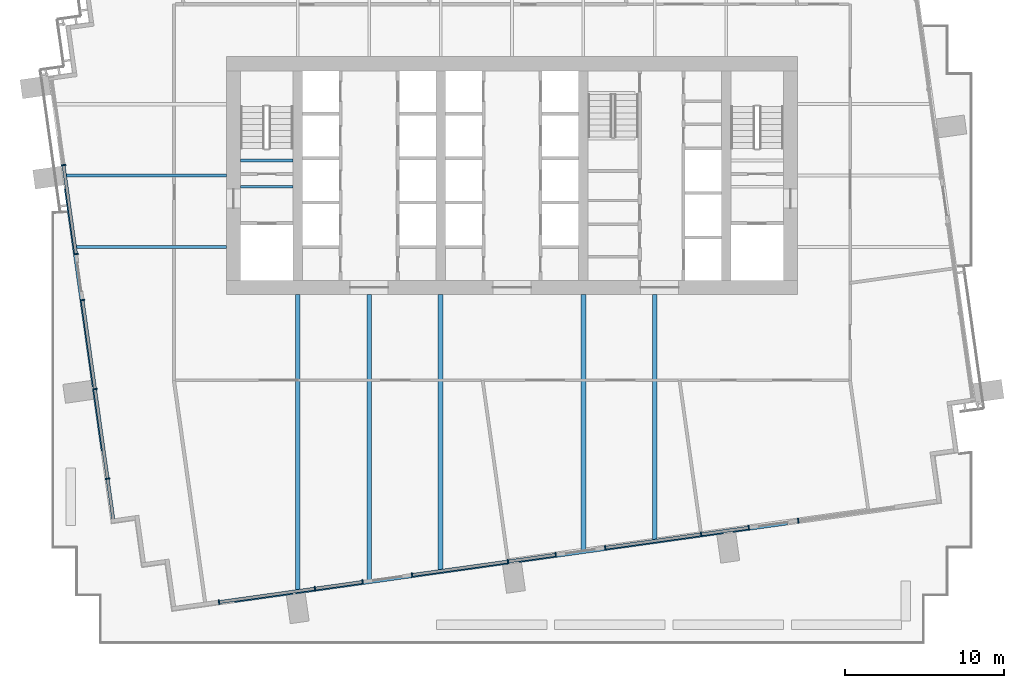
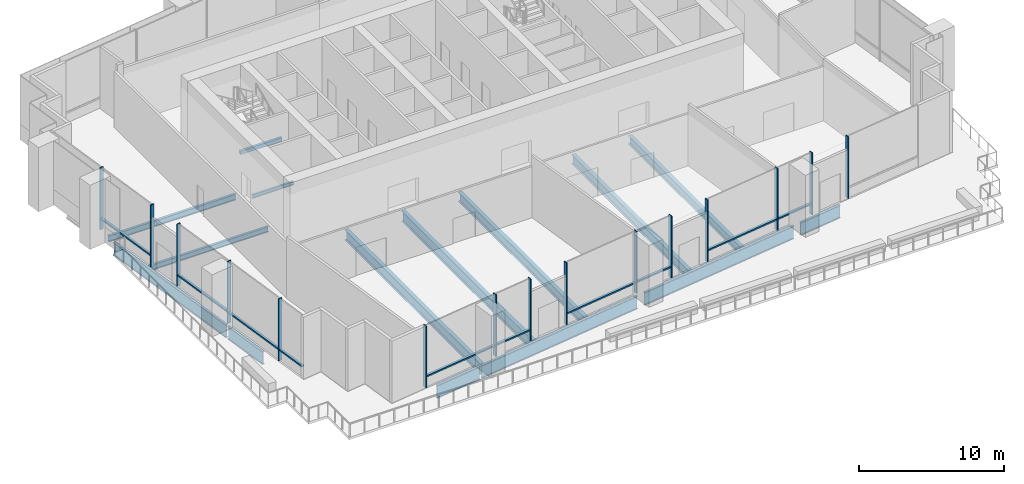
# One storey, part 2 of 17: 25 members, 15 beams, 6 elements without a shape of their own.
"""IFC4 building model written with IfcOpenShell, lengths in metres."""

from ifc_helpers import new_model, si_unit, direction, frame, origin, origin_2d, place, context, subcontext, project, spatial, rectangle, i_section, extrude, material, layer, layer_set, material_profile, profile_set, type_object, element, aggregate, save


model = new_model("IFC4")

# Units and contexts
model_context = context("Model", 3, precision=1e-05, world=origin(), true_north=direction((0.0, 1.0)))
body_context = subcontext(model_context, "Body", "Model", "MODEL_VIEW")
ifc_project = project(units=[si_unit("LENGTHUNIT", "METRE"), si_unit("AREAUNIT", "SQUARE_METRE"), si_unit("VOLUMEUNIT", "CUBIC_METRE"), si_unit("PLANEANGLEUNIT", "RADIAN"), si_unit("MASSUNIT", "GRAM", prefix="KILO")], contexts=[model_context])

# Site, building, storey
site_placement = place(None, origin())
site = spatial("IfcSite", under=ifc_project, at=site_placement, CompositionType="ELEMENT")
building_placement = place(site_placement, origin())
building = spatial("IfcBuilding", under=site, at=building_placement, Name="Rattan Terrace Tower", CompositionType="ELEMENT")
storey_placement = place(building_placement, frame((0.0, 0.0, 163.10009765625)))
storey = spatial("IfcBuildingStorey", under=building, at=storey_placement, Name="L37", CompositionType="ELEMENT", Elevation=163.10009765625)

# Beams
ifc_material_1 = material(Name="Concrete C40/50", Category="concrete")
ifc_material_profile_1 = material_profile(ifc_material_1, rectangle(XDim=0.199951171875, YDim=0.300048828125, at=origin_2d()), Name="RC 200x300")
ifc_profile_set_1 = profile_set([ifc_material_profile_1], Name="Concrete C40/50")
beam_type_1 = type_object("IfcBeamType", Name="Core landing beam RC 200x300", PredefinedType="BEAM", material=ifc_profile_set_1)
beam_1_placement = place(storey_placement, frame((-17.10009765625, 0.949951171875, 2.349853515625), z_axis=(1.0, 0.0, 0.0), x_axis=(0.0, 1.0, 0.0)))
element("IfcBeam", 1, at=beam_1_placement, inside=storey, type_object=beam_type_1, Name="st-S1-L37 landing 2 edge beam", PredefinedType="BEAM", context=body_context, shape_type="SweptSolid", body=[
    extrude(rectangle(XDim=0.199951171875, YDim=0.300048828125, at=origin_2d()), origin(), (0.0, 0.0, 1.0), 3.300048828125),
])
ifc_material_2 = material(Name="Steel S460", Category="steel")
ifc_material_profile_2 = material_profile(ifc_material_2, i_section(OverallWidth=0.179931640625, OverallDepth=1.10009765625, WebThickness=0.01611328125, FlangeThickness=0.050048828125, at=origin_2d()), Name="PG 1100x180-16-50")
ifc_profile_set_2 = profile_set([ifc_material_profile_2], Name="Steel S460")
beam_type_2 = type_object("IfcBeamType", Name="Frame edge girder PG 1100x180-16-50", PredefinedType="SPANDREL", material=ifc_profile_set_2)
beam_2_placement = place(storey_placement, frame((-13.800048828125, -26.299072265625, -0.75), z_axis=(-0.990298080335, -0.138959390059, 0.0), x_axis=(0.138959390059, -0.990298080335, 0.0)))
element("IfcBeam", 2, at=beam_2_placement, inside=storey, type_object=beam_type_2, Name="gdr-L37-001", PredefinedType="SPANDREL", context=body_context, shape_type="SweptSolid", body=[
    extrude(i_section(OverallWidth=0.179931640625, OverallDepth=1.10009765625, WebThickness=0.01611328125, FlangeThickness=0.050048828125, at=origin_2d()), origin(), (0.0, 0.0, 1.0), 3.735107421875),
])
beam_3_placement = place(storey_placement, frame((-13.637939453125, -26.27587890625, -0.75), z_axis=(0.990253636924, 0.139275750074, 0.0), x_axis=(-0.139275750074, 0.990253636924, 0.0)))
element("IfcBeam", 3, at=beam_3_placement, inside=storey, type_object=beam_type_2, Name="gdr-L37-002", PredefinedType="SPANDREL", context=body_context, shape_type="SweptSolid", body=[
    extrude(i_section(OverallWidth=0.179931640625, OverallDepth=1.10009765625, WebThickness=0.01611328125, FlangeThickness=0.050048828125, at=origin_2d()), origin(), (0.0, 0.0, 1.0), 13.590576171875),
])
beam_4_placement = place(storey_placement, frame((0.419921875, -24.299072265625, -0.75), z_axis=(0.990268164734, 0.139172417936, 0.0), x_axis=(-0.139172417936, 0.990268164734, 0.0)))
element("IfcBeam", 4, at=beam_4_placement, inside=storey, type_object=beam_type_2, Name="gdr-L37-003", PredefinedType="SPANDREL", context=body_context, shape_type="SweptSolid", body=[
    extrude(i_section(OverallWidth=0.179931640625, OverallDepth=1.10009765625, WebThickness=0.01611328125, FlangeThickness=0.050048828125, at=origin_2d()), origin(), (0.0, 0.0, 1.0), 13.02685546875),
])
beam_5_placement = place(storey_placement, frame((13.919921875, -22.402099609375, -0.75), z_axis=(0.990290741045, 0.139011683683, 0.0), x_axis=(-0.139011683683, 0.990290741045, 0.0)))
element("IfcBeam", 5, at=beam_5_placement, inside=storey, type_object=beam_type_2, Name="gdr-L37-004", PredefinedType="SPANDREL", context=body_context, shape_type="SweptSolid", body=[
    extrude(i_section(OverallWidth=0.179931640625, OverallDepth=1.10009765625, WebThickness=0.01611328125, FlangeThickness=0.050048828125, at=origin_2d()), origin(), (0.0, 0.0, 1.0), 3.461669921875),
])
beam_6_placement = place(storey_placement, frame((-26.345947265625, -13.487060546875, -0.75), z_axis=(0.139018795299, -0.990289742729, 0.0), x_axis=(0.990289742729, 0.139018795299, 0.0)))
element("IfcBeam", 6, at=beam_6_placement, inside=storey, type_object=beam_type_2, Name="gdr-L37-005", PredefinedType="SPANDREL", context=body_context, shape_type="SweptSolid", body=[
    extrude(i_section(OverallWidth=0.179931640625, OverallDepth=1.10009765625, WebThickness=0.01611328125, FlangeThickness=0.050048828125, at=origin_2d()), origin(), (0.0, 0.0, 1.0), 3.898681640625),
])
beam_7_placement = place(storey_placement, frame((-28.1240234375, -0.840087890625, -0.75), z_axis=(0.13926492317, -0.99025515963, 0.0), x_axis=(0.99025515963, 0.13926492317, 0.0)))
element("IfcBeam", 7, at=beam_7_placement, inside=storey, type_object=beam_type_2, Name="gdr-L37-007", PredefinedType="SPANDREL", context=body_context, shape_type="SweptSolid", body=[
    extrude(i_section(OverallWidth=0.179931640625, OverallDepth=1.10009765625, WebThickness=0.01611328125, FlangeThickness=0.050048828125, at=origin_2d()), origin(), (0.0, 0.0, 1.0), 12.602783203125),
])
ifc_material_3 = material(Name="Steel S355", Category="steel")
ifc_material_profile_3 = material_profile(ifc_material_3, i_section(OverallWidth=0.300048828125, OverallDepth=0.699951171875, WebThickness=0.01708984375, FlangeThickness=0.031982421875, FilletRadius=0.027099609375, at=origin_2d()), Name="HE 700 B")
ifc_profile_set_3 = profile_set([ifc_material_profile_3], Name="Steel S355")
beam_type_3 = type_object("IfcBeamType", Name="Frame floor beam HE 700 B", PredefinedType="JOIST", material=ifc_profile_set_3)
beam_8_placement = place(storey_placement, frame((9.0, -22.98095703125, -0.550048828125), z_axis=(0.0, 1.0, 0.0), x_axis=(-1.0, 0.0, 0.0)))
element("IfcBeam", 8, at=beam_8_placement, inside=storey, type_object=beam_type_3, Name="bm-L37-007", PredefinedType="JOIST", context=body_context, shape_type="SweptSolid", body=[
    extrude(i_section(OverallWidth=0.300048828125, OverallDepth=0.699951171875, WebThickness=0.01708984375, FlangeThickness=0.031982421875, FilletRadius=0.027099609375, at=origin_2d()), origin(), (0.0, 0.0, 1.0), 15.48095703125),
])
ifc_material_4 = material(Name="Steel S355", Category="steel")
ifc_material_profile_4 = material_profile(ifc_material_4, i_section(OverallWidth=0.300048828125, OverallDepth=0.800048828125, WebThickness=0.017578125, FlangeThickness=0.032958984375, FilletRadius=0.030029296875, at=origin_2d()), Name="HE 800 B")
ifc_profile_set_4 = profile_set([ifc_material_profile_4], Name="Steel S355")
beam_type_4 = type_object("IfcBeamType", Name="Frame floor beam HE 800 B", PredefinedType="JOIST", material=ifc_profile_set_4)
beam_9_placement = place(storey_placement, frame((-4.5, -24.87890625, -0.60009765625), z_axis=(0.0, 1.0, 0.0), x_axis=(-1.0, 0.0, 0.0)))
element("IfcBeam", 9, at=beam_9_placement, inside=storey, type_object=beam_type_4, Name="bm-L37-005", PredefinedType="JOIST", context=body_context, shape_type="SweptSolid", body=[
    extrude(i_section(OverallWidth=0.300048828125, OverallDepth=0.800048828125, WebThickness=0.017578125, FlangeThickness=0.032958984375, FilletRadius=0.030029296875, at=origin_2d()), origin(), (0.0, 0.0, 1.0), 17.37890625),
])
beam_10_placement = place(storey_placement, frame((4.5, -23.614013671875, -0.60009765625), z_axis=(0.0, 1.0, 0.0), x_axis=(-1.0, 0.0, 0.0)))
element("IfcBeam", 10, at=beam_10_placement, inside=storey, type_object=beam_type_4, Name="bm-L37-006", PredefinedType="JOIST", context=body_context, shape_type="SweptSolid", body=[
    extrude(i_section(OverallWidth=0.300048828125, OverallDepth=0.800048828125, WebThickness=0.017578125, FlangeThickness=0.032958984375, FilletRadius=0.030029296875, at=origin_2d()), origin(), (0.0, 0.0, 1.0), 16.114013671875),
])
ifc_material_5 = material(Name="Steel S355", Category="steel")
ifc_material_profile_5 = material_profile(ifc_material_5, i_section(OverallWidth=0.300048828125, OverallDepth=0.89990234375, WebThickness=0.0185546875, FlangeThickness=0.034912109375, FilletRadius=0.030029296875, at=origin_2d()), Name="HE 900 B")
ifc_profile_set_5 = profile_set([ifc_material_profile_5], Name="Steel S355")
beam_type_5 = type_object("IfcBeamType", Name="Frame floor beam HE 900 B", PredefinedType="JOIST", material=ifc_profile_set_5)
beam_11_placement = place(storey_placement, frame((-13.5, -26.14501953125, -0.650146484375), z_axis=(0.0, 1.0, 0.0), x_axis=(-1.0, 0.0, 0.0)))
element("IfcBeam", 11, at=beam_11_placement, inside=storey, type_object=beam_type_5, Name="bm-L37-003", PredefinedType="JOIST", context=body_context, shape_type="SweptSolid", body=[
    extrude(i_section(OverallWidth=0.300048828125, OverallDepth=0.89990234375, WebThickness=0.0185546875, FlangeThickness=0.034912109375, FilletRadius=0.030029296875, at=origin_2d()), origin(), (0.0, 0.0, 1.0), 18.64501953125),
])
beam_12_placement = place(storey_placement, frame((-9.0, -25.511962890625, -0.650146484375), z_axis=(0.0, 1.0, 0.0), x_axis=(-1.0, 0.0, 0.0)))
element("IfcBeam", 12, at=beam_12_placement, inside=storey, type_object=beam_type_5, Name="bm-L37-004", PredefinedType="JOIST", context=body_context, shape_type="SweptSolid", body=[
    extrude(i_section(OverallWidth=0.300048828125, OverallDepth=0.89990234375, WebThickness=0.0185546875, FlangeThickness=0.034912109375, FilletRadius=0.030029296875, at=origin_2d()), origin(), (0.0, 0.0, 1.0), 18.011962890625),
])
ifc_material_6 = material(Name="Steel S355", Category="steel")
ifc_material_profile_6 = material_profile(ifc_material_6, i_section(OverallWidth=0.14990234375, OverallDepth=0.300048828125, WebThickness=0.007080078125, FlangeThickness=0.0107421875, FilletRadius=0.014892578125, at=origin_2d()), Name="IPE 300")
ifc_profile_set_6 = profile_set([ifc_material_profile_6], Name="Steel S355")
beam_type_6 = type_object("IfcBeamType", Name="Frame floor beam IPE 300", PredefinedType="JOIST", material=ifc_profile_set_6)
beam_13_placement = place(storey_placement, frame((-17.10009765625, -0.695068359375, -0.35009765625), z_axis=(1.0, 0.0, 0.0), x_axis=(0.0, 1.0, 0.0)))
element("IfcBeam", 13, at=beam_13_placement, inside=storey, type_object=beam_type_6, Name="bm-L37-001", PredefinedType="JOIST", context=body_context, shape_type="SweptSolid", body=[
    extrude(i_section(OverallWidth=0.14990234375, OverallDepth=0.300048828125, WebThickness=0.007080078125, FlangeThickness=0.0107421875, FilletRadius=0.014892578125, at=origin_2d()), origin(), (0.0, 0.0, 1.0), 3.300048828125),
])
ifc_material_7 = material(Name="Steel S355", Category="steel")
ifc_material_profile_7 = material_profile(ifc_material_7, i_section(OverallWidth=0.18994140625, OverallDepth=0.449951171875, WebThickness=0.009521484375, FlangeThickness=0.0146484375, FilletRadius=0.02099609375, at=origin_2d()), Name="IPE 450")
ifc_profile_set_7 = profile_set([ifc_material_profile_7], Name="Steel S355")
beam_type_7 = type_object("IfcBeamType", Name="Frame floor beam IPE 450", PredefinedType="JOIST", material=ifc_profile_set_7)
beam_14_placement = place(storey_placement, frame((-27.5048828125, -4.5, -0.425048828125), z_axis=(1.0, 0.0, 0.0), x_axis=(0.0, 1.0, 0.0)))
element("IfcBeam", 14, at=beam_14_placement, inside=storey, type_object=beam_type_7, Name="bm-L37-008", PredefinedType="JOIST", context=body_context, shape_type="SweptSolid", body=[
    extrude(i_section(OverallWidth=0.18994140625, OverallDepth=0.449951171875, WebThickness=0.009521484375, FlangeThickness=0.0146484375, FilletRadius=0.02099609375, at=origin_2d()), origin(), (0.0, 0.0, 1.0), 9.5048828125),
])
ifc_material_8 = material(Name="Steel S355", Category="steel")
ifc_material_profile_8 = material_profile(ifc_material_8, i_section(OverallWidth=0.199951171875, OverallDepth=0.5, WebThickness=0.01025390625, FlangeThickness=0.01611328125, FilletRadius=0.02099609375, at=origin_2d()), Name="IPE 500")
ifc_profile_set_8 = profile_set([ifc_material_profile_8], Name="Steel S355")
beam_type_8 = type_object("IfcBeamType", Name="Frame floor beam IPE 500", PredefinedType="JOIST", material=ifc_profile_set_8)
beam_15_placement = place(storey_placement, frame((-28.110107421875, 0.0, -0.4501953125), z_axis=(1.0, 0.0, 0.0), x_axis=(0.0, 1.0, 0.0)))
element("IfcBeam", 15, at=beam_15_placement, inside=storey, type_object=beam_type_8, Name="bm-L37-010", PredefinedType="JOIST", context=body_context, shape_type="SweptSolid", body=[
    extrude(i_section(OverallWidth=0.199951171875, OverallDepth=0.5, WebThickness=0.01025390625, FlangeThickness=0.01611328125, FilletRadius=0.02099609375, at=origin_2d()), origin(), (0.0, 0.0, 1.0), 10.110107421875),
])

# Curtain wall, members
ifc_material_9 = material(Name="Steel fins, aluminium and glass", Category="steel")
ifc_layer = layer(ifc_material_9, 0.300048828125)
ifc_layer_set = layer_set([ifc_layer], Name="Sky Lobby Stick Curtain Wall")
curtain_wall_type = type_object("IfcCurtainWallType", Name="Sky Lobby Stick Curtain Wall", PredefinedType="NOTDEFINED", material=ifc_layer_set)
curtain_wall_1_placement = place(storey_placement, origin())
curtain_wall_1 = element("IfcCurtainWall", 16, at=curtain_wall_1_placement, inside=storey, type_object=curtain_wall_type, Name="Sky lobby curtain wall L37-4", PredefinedType="NOTDEFINED")
ifc_material_10 = material(Name="Steel S355", Category="steel")
ifc_material_profile_9 = material_profile(ifc_material_10, rectangle(XDim=0.080078125, YDim=0.300048828125, at=origin_2d()), Name="Steel S355 80x300")
ifc_profile_set_9 = profile_set([ifc_material_profile_9], Name="Steel S355")
member_type_1 = type_object("IfcMemberType", Name="Sky Lobby CW Fin 80x300", PredefinedType="MULLION", material=ifc_profile_set_9)
member_1_placement = place(storey_placement, frame((-28.254150390625, 0.6630859375, 0.0), z_axis=(0.0, 0.0, 1.0), x_axis=(0.139190856006, -0.99026557327, 0.0)))
member_1 = element("IfcMember", 17, at=member_1_placement, type_object=member_type_1, Name="Mullion cwl-L37-004.2", PredefinedType="MULLION", context=body_context, shape_type="SweptSolid", body=[
    extrude(rectangle(XDim=0.080078125, YDim=0.300048828125, at=origin_2d()), origin(), (0.0, 0.0, 1.0), 5.199951171875),
])
member_2_placement = place(storey_placement, frame((-27.466552734375, -4.941650390625, 0.0), z_axis=(0.0, 0.0, 1.0), x_axis=(0.139190856006, -0.99026557327, 0.0)))
member_2 = element("IfcMember", 18, at=member_2_placement, type_object=member_type_1, Name="Mullion cwl-L37-004.3", PredefinedType="MULLION", context=body_context, shape_type="SweptSolid", body=[
    extrude(rectangle(XDim=0.080078125, YDim=0.300048828125, at=origin_2d()), origin(), (0.0, 0.0, 1.0), 5.199951171875),
])

curtain_wall_2_placement = place(storey_placement, origin())
curtain_wall_2 = element("IfcCurtainWall", 19, at=curtain_wall_2_placement, inside=storey, type_object=curtain_wall_type, Name="Sky lobby curtain wall L37-5", PredefinedType="NOTDEFINED")
member_3_placement = place(storey_placement, frame((-27.05859375, -7.84326171875, 0.0), z_axis=(0.0, 0.0, 1.0), x_axis=(0.139190856006, -0.99026557327, 0.0)))
member_3 = element("IfcMember", 20, at=member_3_placement, type_object=member_type_1, Name="Mullion cwl-L37-005.1", PredefinedType="MULLION", context=body_context, shape_type="SweptSolid", body=[
    extrude(rectangle(XDim=0.080078125, YDim=0.300048828125, at=origin_2d()), origin(), (0.0, 0.0, 1.0), 5.199951171875),
])
member_4_placement = place(storey_placement, frame((-26.270751953125, -13.4482421875, 0.0), z_axis=(0.0, 0.0, 1.0), x_axis=(0.139190856006, -0.99026557327, 0.0)))
member_4 = element("IfcMember", 21, at=member_4_placement, type_object=member_type_1, Name="Mullion cwl-L37-005.2", PredefinedType="MULLION", context=body_context, shape_type="SweptSolid", body=[
    extrude(rectangle(XDim=0.080078125, YDim=0.300048828125, at=origin_2d()), origin(), (0.0, 0.0, 1.0), 5.199951171875),
])
member_5_placement = place(storey_placement, frame((-25.477294921875, -19.092529296875, 0.0), z_axis=(0.0, 0.0, 1.0), x_axis=(0.139190856006, -0.99026557327, 0.0)))
member_5 = element("IfcMember", 22, at=member_5_placement, type_object=member_type_1, Name="Mullion cwl-L37-005.3", PredefinedType="MULLION", context=body_context, shape_type="SweptSolid", body=[
    extrude(rectangle(XDim=0.080078125, YDim=0.300048828125, at=origin_2d()), origin(), (0.0, 0.0, 1.0), 5.199951171875),
])

curtain_wall_3_placement = place(storey_placement, origin())
curtain_wall_3 = element("IfcCurtainWall", 23, at=curtain_wall_3_placement, inside=storey, type_object=curtain_wall_type, Name="Sky lobby curtain wall L37-6", PredefinedType="NOTDEFINED")
member_6_placement = place(storey_placement, frame((-18.45703125, -26.87109375, 0.0), z_axis=(0.0, 0.0, 1.0), x_axis=(0.990269702686, 0.139161474347, 0.0)))
member_6 = element("IfcMember", 24, at=member_6_placement, type_object=member_type_1, Name="Mullion cwl-L37-006.1", PredefinedType="MULLION", context=body_context, shape_type="SweptSolid", body=[
    extrude(rectangle(XDim=0.080078125, YDim=0.300048828125, at=origin_2d()), origin(), (0.0, 0.0, 1.0), 5.199951171875),
])
member_7_placement = place(storey_placement, frame((-12.414306640625, -26.02197265625, 0.0), z_axis=(0.0, 0.0, 1.0), x_axis=(0.990269702686, 0.139161474347, 0.0)))
member_7 = element("IfcMember", 25, at=member_7_placement, type_object=member_type_1, Name="Mullion cwl-L37-006.2", PredefinedType="MULLION", context=body_context, shape_type="SweptSolid", body=[
    extrude(rectangle(XDim=0.080078125, YDim=0.300048828125, at=origin_2d()), origin(), (0.0, 0.0, 1.0), 5.199951171875),
])
member_8_placement = place(storey_placement, frame((-9.412841796875, -25.60009765625, 0.0), z_axis=(0.0, 0.0, 1.0), x_axis=(0.990269702686, 0.139161474347, 0.0)))
member_8 = element("IfcMember", 26, at=member_8_placement, type_object=member_type_1, Name="Mullion cwl-L37-006.3", PredefinedType="MULLION", context=body_context, shape_type="SweptSolid", body=[
    extrude(rectangle(XDim=0.080078125, YDim=0.300048828125, at=origin_2d()), origin(), (0.0, 0.0, 1.0), 5.199951171875),
])

curtain_wall_4_placement = place(storey_placement, origin())
curtain_wall_4 = element("IfcCurtainWall", 27, at=curtain_wall_4_placement, inside=storey, type_object=curtain_wall_type, Name="Sky lobby curtain wall L37-7", PredefinedType="NOTDEFINED")
member_9_placement = place(storey_placement, frame((-6.29248046875, -25.16162109375, 0.0), z_axis=(0.0, 0.0, 1.0), x_axis=(0.990269702686, 0.139161474347, 0.0)))
member_9 = element("IfcMember", 28, at=member_9_placement, type_object=member_type_1, Name="Mullion cwl-L37-007.1", PredefinedType="MULLION", context=body_context, shape_type="SweptSolid", body=[
    extrude(rectangle(XDim=0.080078125, YDim=0.300048828125, at=origin_2d()), origin(), (0.0, 0.0, 1.0), 5.199951171875),
])
member_10_placement = place(storey_placement, frame((-0.25, -24.3125, 0.0), z_axis=(0.0, 0.0, 1.0), x_axis=(0.990269702686, 0.139161474347, 0.0)))
member_10 = element("IfcMember", 29, at=member_10_placement, type_object=member_type_1, Name="Mullion cwl-L37-007.2", PredefinedType="MULLION", context=body_context, shape_type="SweptSolid", body=[
    extrude(rectangle(XDim=0.080078125, YDim=0.300048828125, at=origin_2d()), origin(), (0.0, 0.0, 1.0), 5.199951171875),
])
member_11_placement = place(storey_placement, frame((2.75146484375, -23.890625, 0.0), z_axis=(0.0, 0.0, 1.0), x_axis=(0.990269702686, 0.139161474347, 0.0)))
member_11 = element("IfcMember", 30, at=member_11_placement, type_object=member_type_1, Name="Mullion cwl-L37-007.3", PredefinedType="MULLION", context=body_context, shape_type="SweptSolid", body=[
    extrude(rectangle(XDim=0.080078125, YDim=0.300048828125, at=origin_2d()), origin(), (0.0, 0.0, 1.0), 5.199951171875),
])

curtain_wall_5_placement = place(storey_placement, origin())
curtain_wall_5 = element("IfcCurtainWall", 31, at=curtain_wall_5_placement, inside=storey, type_object=curtain_wall_type, Name="Sky lobby curtain wall L37-8", PredefinedType="NOTDEFINED")
member_12_placement = place(storey_placement, frame((5.871826171875, -23.4521484375, 0.0), z_axis=(0.0, 0.0, 1.0), x_axis=(0.990269702686, 0.139161474347, 0.0)))
member_12 = element("IfcMember", 32, at=member_12_placement, type_object=member_type_1, Name="Mullion cwl-L37-008.1", PredefinedType="MULLION", context=body_context, shape_type="SweptSolid", body=[
    extrude(rectangle(XDim=0.080078125, YDim=0.300048828125, at=origin_2d()), origin(), (0.0, 0.0, 1.0), 5.199951171875),
])
member_13_placement = place(storey_placement, frame((11.91455078125, -22.60302734375, 0.0), z_axis=(0.0, 0.0, 1.0), x_axis=(0.990269702686, 0.139161474347, 0.0)))
member_13 = element("IfcMember", 33, at=member_13_placement, type_object=member_type_1, Name="Mullion cwl-L37-008.2", PredefinedType="MULLION", context=body_context, shape_type="SweptSolid", body=[
    extrude(rectangle(XDim=0.080078125, YDim=0.300048828125, at=origin_2d()), origin(), (0.0, 0.0, 1.0), 5.199951171875),
])
member_14_placement = place(storey_placement, frame((14.916015625, -22.18115234375, 0.0), z_axis=(0.0, 0.0, 1.0), x_axis=(0.990269702686, 0.139161474347, 0.0)))
member_14 = element("IfcMember", 34, at=member_14_placement, type_object=member_type_1, Name="Mullion cwl-L37-008.3", PredefinedType="MULLION", context=body_context, shape_type="SweptSolid", body=[
    extrude(rectangle(XDim=0.080078125, YDim=0.300048828125, at=origin_2d()), origin(), (0.0, 0.0, 1.0), 5.199951171875),
])

# Curtain wall, member
curtain_wall_6_placement = place(storey_placement, origin())
curtain_wall_6 = element("IfcCurtainWall", 35, at=curtain_wall_6_placement, inside=storey, type_object=curtain_wall_type, Name="Sky lobby curtain wall L37-9", PredefinedType="NOTDEFINED")
member_15_placement = place(storey_placement, frame((18.036376953125, -21.74267578125, 0.0), z_axis=(0.0, 0.0, 1.0), x_axis=(0.990269702686, 0.139161474347, 0.0)))
member_15 = element("IfcMember", 36, at=member_15_placement, type_object=member_type_1, Name="Mullion cwl-L37-009.1", PredefinedType="MULLION", context=body_context, shape_type="SweptSolid", body=[
    extrude(rectangle(XDim=0.080078125, YDim=0.300048828125, at=origin_2d()), origin(), (0.0, 0.0, 1.0), 5.199951171875),
])
aggregate(curtain_wall_6, [member_15])

# Member
ifc_material_11 = material(Name="Aluminium", Category="aluminium")
ifc_material_profile_10 = material_profile(ifc_material_11, rectangle(XDim=0.199951171875, YDim=0.1201171875, at=origin_2d()), Name="Aluminium 200x120")
ifc_profile_set_10 = profile_set([ifc_material_profile_10], Name="Aluminium")
member_type_2 = type_object("IfcMemberType", Name="Sky Lobby CW Transom 200x120", PredefinedType="USERDEFINED", material=ifc_profile_set_10)
member_16_placement = place(storey_placement, frame((-28.248779296875, 0.62353515625, 0.89990234375), z_axis=(0.139221982545, -0.990261197653, 0.0), x_axis=(0.990261197653, 0.139221982545, 0.0)))
member_16 = element("IfcMember", 37, at=member_16_placement, type_object=member_type_2, Name="Transom cwl-L37-004.2", ObjectType="TRANSOM", PredefinedType="USERDEFINED", context=body_context, shape_type="SweptSolid", body=[
    extrude(rectangle(XDim=0.199951171875, YDim=0.1201171875, at=origin_2d()), origin(), (0.0, 0.0, 1.0), 5.580078125),
])

aggregate(curtain_wall_1, [member_1, member_2, member_16])

member_17_placement = place(storey_placement, frame((-27.052978515625, -7.8828125, 0.89990234375), z_axis=(0.139179077226, -0.990267228814, 0.0), x_axis=(0.990267228814, 0.139179077226, 0.0)))
member_17 = element("IfcMember", 38, at=member_17_placement, type_object=member_type_2, Name="Transom cwl-L37-005.1", ObjectType="TRANSOM", PredefinedType="USERDEFINED", context=body_context, shape_type="SweptSolid", body=[
    extrude(rectangle(XDim=0.199951171875, YDim=0.1201171875, at=origin_2d()), origin(), (0.0, 0.0, 1.0), 5.579833984375),
])

member_18_placement = place(storey_placement, frame((-26.26513671875, -13.48779296875, 0.89990234375), z_axis=(0.139188934508, -0.990265843352, 0.0), x_axis=(0.990265843352, 0.139188934508, 0.0)))
member_18 = element("IfcMember", 39, at=member_18_placement, type_object=member_type_2, Name="Transom cwl-L37-005.2", ObjectType="TRANSOM", PredefinedType="USERDEFINED", context=body_context, shape_type="SweptSolid", body=[
    extrude(rectangle(XDim=0.199951171875, YDim=0.1201171875, at=origin_2d()), origin(), (0.0, 0.0, 1.0), 5.619873046875),
])

member_19_placement = place(storey_placement, frame((-25.471923828125, -19.13232421875, 0.89990234375), z_axis=(0.139178988917, -0.990267241225, 0.0), x_axis=(0.990267241225, 0.139178988917, 0.0)))
member_19 = element("IfcMember", 40, at=member_19_placement, type_object=member_type_2, Name="Transom cwl-L37-005.3", ObjectType="TRANSOM", PredefinedType="USERDEFINED", context=body_context, shape_type="SweptSolid", body=[
    extrude(rectangle(XDim=0.199951171875, YDim=0.1201171875, at=origin_2d()), origin(), (0.0, 0.0, 1.0), 2.515380859375),
])

aggregate(curtain_wall_2, [member_3, member_4, member_5, member_17, member_18, member_19])

member_20_placement = place(storey_placement, frame((-18.41748046875, -26.865478515625, 0.89990234375), z_axis=(0.990272819857, 0.139139290827, 0.0), x_axis=(-0.139139290827, 0.990272819857, 0.0)))
member_20 = element("IfcMember", 41, at=member_20_placement, type_object=member_type_2, Name="Transom cwl-L37-006.1", ObjectType="TRANSOM", PredefinedType="USERDEFINED", context=body_context, shape_type="SweptSolid", body=[
    extrude(rectangle(XDim=0.199951171875, YDim=0.1201171875, at=origin_2d()), origin(), (0.0, 0.0, 1.0), 6.02197265625),
])

member_21_placement = place(storey_placement, frame((-12.374755859375, -26.016357421875, 0.89990234375), z_axis=(0.990269588084, 0.139162289845, 0.0), x_axis=(-0.139162289845, 0.990269588084, 0.0)))
member_21 = element("IfcMember", 42, at=member_21_placement, type_object=member_type_2, Name="Transom cwl-L37-006.2", ObjectType="TRANSOM", PredefinedType="USERDEFINED", context=body_context, shape_type="SweptSolid", body=[
    extrude(rectangle(XDim=0.199951171875, YDim=0.1201171875, at=origin_2d()), origin(), (0.0, 0.0, 1.0), 2.950927734375),
])

aggregate(curtain_wall_3, [member_6, member_7, member_8, member_20, member_21])

member_22_placement = place(storey_placement, frame((-6.2529296875, -25.156005859375, 0.89990234375), z_axis=(0.990272819857, 0.139139290827, 0.0), x_axis=(-0.139139290827, 0.990272819857, 0.0)))
member_22 = element("IfcMember", 43, at=member_22_placement, type_object=member_type_2, Name="Transom cwl-L37-007.1", ObjectType="TRANSOM", PredefinedType="USERDEFINED", context=body_context, shape_type="SweptSolid", body=[
    extrude(rectangle(XDim=0.199951171875, YDim=0.1201171875, at=origin_2d()), origin(), (0.0, 0.0, 1.0), 6.02197265625),
])

member_23_placement = place(storey_placement, frame((-0.21044921875, -24.306884765625, 0.89990234375), z_axis=(0.990271190169, 0.139150889045, 0.0), x_axis=(-0.139150889045, 0.990271190169, 0.0)))
member_23 = element("IfcMember", 44, at=member_23_placement, type_object=member_type_2, Name="Transom cwl-L37-007.2", ObjectType="TRANSOM", PredefinedType="USERDEFINED", context=body_context, shape_type="SweptSolid", body=[
    extrude(rectangle(XDim=0.199951171875, YDim=0.1201171875, at=origin_2d()), origin(), (0.0, 0.0, 1.0), 2.951171875),
])

aggregate(curtain_wall_4, [member_9, member_10, member_11, member_22, member_23])

member_24_placement = place(storey_placement, frame((5.91162109375, -23.446533203125, 0.89990234375), z_axis=(0.990272819857, 0.139139290827, 0.0), x_axis=(-0.139139290827, 0.990272819857, 0.0)))
member_24 = element("IfcMember", 45, at=member_24_placement, type_object=member_type_2, Name="Transom cwl-L37-008.1", ObjectType="TRANSOM", PredefinedType="USERDEFINED", context=body_context, shape_type="SweptSolid", body=[
    extrude(rectangle(XDim=0.199951171875, YDim=0.1201171875, at=origin_2d()), origin(), (0.0, 0.0, 1.0), 6.02197265625),
])

member_25_placement = place(storey_placement, frame((11.9541015625, -22.597412109375, 0.89990234375), z_axis=(0.990271190169, 0.139150889045, 0.0), x_axis=(-0.139150889045, 0.990271190169, 0.0)))
member_25 = element("IfcMember", 46, at=member_25_placement, type_object=member_type_2, Name="Transom cwl-L37-008.2", ObjectType="TRANSOM", PredefinedType="USERDEFINED", context=body_context, shape_type="SweptSolid", body=[
    extrude(rectangle(XDim=0.199951171875, YDim=0.1201171875, at=origin_2d()), origin(), (0.0, 0.0, 1.0), 2.951171875),
])

aggregate(curtain_wall_5, [member_12, member_13, member_14, member_24, member_25])

save(model, "model.ifc")
